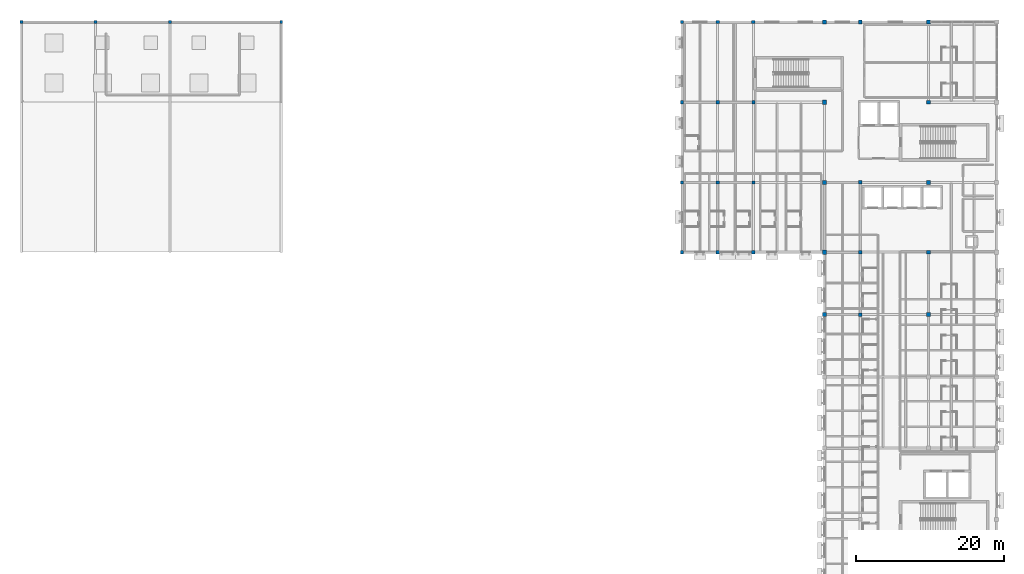
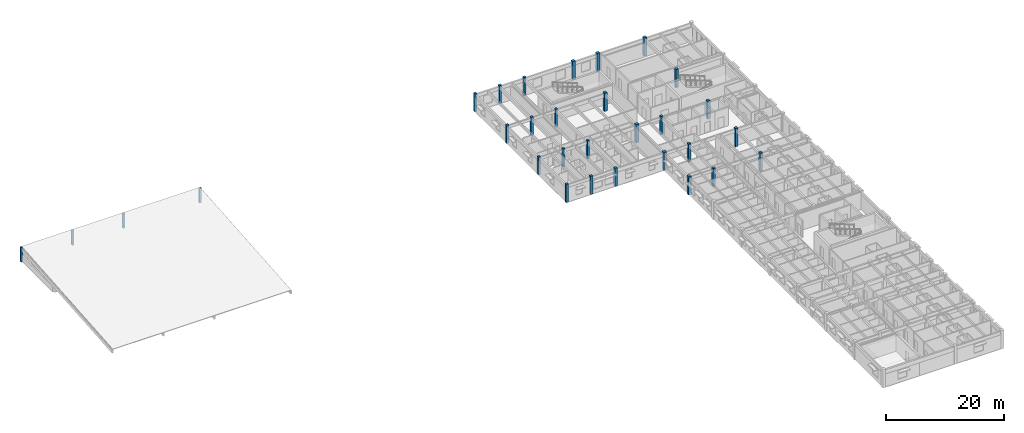
# One storey, part 2 of 31: 30 columns.
"""IFC4 building model written with IfcOpenShell, lengths in metres."""

from ifc_helpers import new_model, si_unit, direction, frame, origin, origin_2d, place, context, subcontext, project, spatial, rectangle, extrude, material, material_profile, profile_set, type_object, element, save


model = new_model("IFC4")

# Units and contexts
model_context = context("Model", 3, precision=1e-05, world=origin(), true_north=direction((0.0, 1.0)))
body_context = subcontext(model_context, "Body", "Model", "MODEL_VIEW")
ifc_project = project(units=[si_unit("LENGTHUNIT", "METRE"), si_unit("AREAUNIT", "SQUARE_METRE"), si_unit("VOLUMEUNIT", "CUBIC_METRE"), si_unit("PLANEANGLEUNIT", "RADIAN"), si_unit("MASSUNIT", "GRAM", prefix="KILO")], contexts=[model_context])

# Site, building, storey
site_placement = place(None, origin())
site = spatial("IfcSite", under=ifc_project, at=site_placement, CompositionType="ELEMENT")
building_placement = place(site_placement, origin())
building = spatial("IfcBuilding", under=site, at=building_placement, Name="Veldera Park Congress Hotel", CompositionType="ELEMENT")
storey_placement = place(building_placement, frame((0.0, 0.0, 20.0)))
storey = spatial("IfcBuildingStorey", under=building, at=storey_placement, Name="L04", CompositionType="ELEMENT", Elevation=20.0)

# Columns
ifc_material = material(Name="Glulam GL28h (NDS 24F-V4)", Category="wood")
ifc_material_profile_1 = material_profile(ifc_material, rectangle(XDim=0.389892578125, YDim=0.389892578125, at=origin_2d()), Name="GL28h 390x390")
ifc_profile_set_1 = profile_set([ifc_material_profile_1], Name="Glulam GL28h (NDS 24F-V4)")
column_type_1 = type_object("IfcColumnType", Name="COL-GL36E", PredefinedType="COLUMN", material=ifc_profile_set_1)
for number, where, z_axis, x_axis, name in (
    (1, (-47.39990234375, 58.0, 0.0), (0.0, 0.0, 1.0), (1.0, 0.0, 0.0), "L04 Column COL-GL36E (-47.4,58.0)"),
    (2, (-37.39990234375, 58.0, 0.0), (0.0, 0.0, 1.0), (1.0, 0.0, 0.0), "L04 Column COL-GL36E (-37.4,58.0)"),
    (3, (-27.39990234375, 58.0, 0.0), (0.0, 0.0, 1.0), (1.0, 0.0, 0.0), "L04 Column COL-GL36E (-27.4,58.0)"),
    (4, (-12.39990234375, 58.0, 0.0), (0.0, 0.0, 1.0), (1.0, 0.0, 0.0), "L04 Column COL-GL36E (-12.4,58.0)"),
):
    element("IfcColumn", number, at=place(storey_placement, frame(where, z_axis=z_axis, x_axis=x_axis)), inside=storey, type_object=column_type_1, Name=name, PredefinedType="COLUMN", context=body_context, shape_type="SweptSolid", body=[
        extrude(rectangle(XDim=0.389892578125, YDim=0.389892578125, at=origin_2d()), origin(), (0.0, 0.0, 1.0), 3.02001953125),
    ])
ifc_material_profile_2 = material_profile(ifc_material, rectangle(XDim=0.419921875, YDim=0.419921875, at=origin_2d()), Name="GL28h 420x420")
ifc_profile_set_2 = profile_set([ifc_material_profile_2], Name="Glulam GL28h (NDS 24F-V4)")
column_type_2 = type_object("IfcColumnType", Name="COL-GL42", PredefinedType="COLUMN", material=ifc_profile_set_2)
for number, where, z_axis, x_axis, name in (
    (5, (41.60009765625, 36.39990234375, 0.0), (0.0, 0.0, 1.0), (1.0, 0.0, 0.0), "L04 Column COL-GL42 (41.6,36.4)"),
    (6, (41.60009765625, 47.199951171875, 0.0), (0.0, 0.0, 1.0), (1.0, 0.0, 0.0), "L04 Column COL-GL42 (41.6,47.2)"),
    (7, (46.39990234375, 36.39990234375, 0.0), (0.0, 0.0, 1.0), (1.0, 0.0, 0.0), "L04 Column COL-GL42 (46.4,36.4)"),
    (8, (46.39990234375, 47.199951171875, 0.0), (0.0, 0.0, 1.0), (1.0, 0.0, 0.0), "L04 Column COL-GL42 (46.4,47.2)"),
    (9, (51.199951171875, 36.39990234375, 0.0), (0.0, 0.0, 1.0), (1.0, 0.0, 0.0), "L04 Column COL-GL42 (51.2,36.4)"),
    (10, (51.199951171875, 47.199951171875, 0.0), (0.0, 0.0, 1.0), (1.0, 0.0, 0.0), "L04 Column COL-GL42 (51.2,47.2)"),
):
    element("IfcColumn", number, at=place(storey_placement, frame(where, z_axis=z_axis, x_axis=x_axis)), inside=storey, type_object=column_type_2, Name=name, PredefinedType="COLUMN", context=body_context, shape_type="SweptSolid", body=[
        extrude(rectangle(XDim=0.419921875, YDim=0.419921875, at=origin_2d()), origin(), (0.0, 0.0, 1.0), 3.800048828125),
    ])
ifc_material_profile_3 = material_profile(ifc_material, rectangle(XDim=0.449951171875, YDim=0.449951171875, at=origin_2d()), Name="GL28h 450x450")
ifc_profile_set_3 = profile_set([ifc_material_profile_3], Name="Glulam GL28h (NDS 24F-V4)")
column_type_3 = type_object("IfcColumnType", Name="COL-GL42E", PredefinedType="COLUMN", material=ifc_profile_set_3)
for number, where, z_axis, x_axis, name in (
    (11, (41.60009765625, 27.0, 0.0), (0.0, 0.0, 1.0), (1.0, 0.0, 0.0), "L04 Column COL-GL42E (41.6,27.0)"),
    (12, (41.60009765625, 58.0, 0.0), (0.0, 0.0, 1.0), (1.0, 0.0, 0.0), "L04 Column COL-GL42E (41.6,58.0)"),
    (13, (46.39990234375, 27.0, 0.0), (0.0, 0.0, 1.0), (1.0, 0.0, 0.0), "L04 Column COL-GL42E (46.4,27.0)"),
    (14, (46.39990234375, 58.0, 0.0), (0.0, 0.0, 1.0), (1.0, 0.0, 0.0), "L04 Column COL-GL42E (46.4,58.0)"),
    (15, (51.199951171875, 27.0, 0.0), (0.0, 0.0, 1.0), (1.0, 0.0, 0.0), "L04 Column COL-GL42E (51.2,27.0)"),
    (16, (51.199951171875, 58.0, 0.0), (0.0, 0.0, 1.0), (1.0, 0.0, 0.0), "L04 Column COL-GL42E (51.2,58.0)"),
):
    element("IfcColumn", number, at=place(storey_placement, frame(where, z_axis=z_axis, x_axis=x_axis)), inside=storey, type_object=column_type_3, Name=name, PredefinedType="COLUMN", context=body_context, shape_type="SweptSolid", body=[
        extrude(rectangle(XDim=0.449951171875, YDim=0.449951171875, at=origin_2d()), origin(), (0.0, 0.0, 1.0), 3.800048828125),
    ])
ifc_material_profile_4 = material_profile(ifc_material, rectangle(XDim=0.47998046875, YDim=0.47998046875, at=origin_2d()), Name="GL28h 480x480")
ifc_profile_set_4 = profile_set([ifc_material_profile_4], Name="Glulam GL28h (NDS 24F-V4)")
column_type_4 = type_object("IfcColumnType", Name="COL-GL48", PredefinedType="COLUMN", material=ifc_profile_set_4)
for number, where, z_axis, x_axis, name in (
    (17, (65.60009765625, 18.60009765625, 0.0), (0.0, 0.0, 1.0), (1.0, 0.0, 0.0), "L04 Column COL-GL48 (65.6,18.6)"),
    (18, (65.60009765625, 27.0, 0.0), (0.0, 0.0, 1.0), (1.0, 0.0, 0.0), "L04 Column COL-GL48 (65.6,27.0)"),
    (19, (65.60009765625, 36.39990234375, 0.0), (0.0, 0.0, 1.0), (1.0, 0.0, 0.0), "L04 Column COL-GL48 (65.6,36.4)"),
):
    element("IfcColumn", number, at=place(storey_placement, frame(where, z_axis=z_axis, x_axis=x_axis)), inside=storey, type_object=column_type_4, Name=name, PredefinedType="COLUMN", context=body_context, shape_type="SweptSolid", body=[
        extrude(rectangle(XDim=0.47998046875, YDim=0.47998046875, at=origin_2d()), origin(), (0.0, 0.0, 1.0), 3.800048828125),
    ])
ifc_material_profile_5 = material_profile(ifc_material, rectangle(XDim=0.52001953125, YDim=0.52001953125, at=origin_2d()), Name="GL28h 520x520")
ifc_profile_set_5 = profile_set([ifc_material_profile_5], Name="Glulam GL28h (NDS 24F-V4)")
column_type_5 = type_object("IfcColumnType", Name="COL-GL48E", PredefinedType="COLUMN", material=ifc_profile_set_5)
column_placement = place(storey_placement, frame((65.60009765625, 58.0, 0.0), z_axis=(0.0, 0.0, 1.0), x_axis=(1.0, 0.0, 0.0)))
element("IfcColumn", 20, at=column_placement, inside=storey, type_object=column_type_5, Name="L04 Column COL-GL48E (65.6,58.0)", PredefinedType="COLUMN", context=body_context, shape_type="SweptSolid", body=[
    extrude(rectangle(XDim=0.52001953125, YDim=0.52001953125, at=origin_2d()), origin(), (0.0, 0.0, 1.0), 3.800048828125),
])
ifc_material_profile_6 = material_profile(ifc_material, rectangle(XDim=0.52001953125, YDim=0.52001953125, at=origin_2d()), Name="GL28h 520x520")
ifc_profile_set_6 = profile_set([ifc_material_profile_6], Name="Glulam GL28h (NDS 24F-V4)")
column_type_6 = type_object("IfcColumnType", Name="COL-GL52", PredefinedType="COLUMN", material=ifc_profile_set_6)
for number, where, z_axis, x_axis, name in (
    (21, (74.800048828125, 18.60009765625, 0.0), (0.0, 0.0, 1.0), (1.0, 0.0, 0.0), "L04 Column COL-GL52 (74.8,18.6)"),
    (22, (74.800048828125, 27.0, 0.0), (0.0, 0.0, 1.0), (1.0, 0.0, 0.0), "L04 Column COL-GL52 (74.8,27.0)"),
    (23, (74.800048828125, 36.39990234375, 0.0), (0.0, 0.0, 1.0), (1.0, 0.0, 0.0), "L04 Column COL-GL52 (74.8,36.4)"),
    (24, (74.800048828125, 47.199951171875, 0.0), (0.0, 0.0, 1.0), (1.0, 0.0, 0.0), "L04 Column COL-GL52 (74.8,47.2)"),
):
    element("IfcColumn", number, at=place(storey_placement, frame(where, z_axis=z_axis, x_axis=x_axis)), inside=storey, type_object=column_type_6, Name=name, PredefinedType="COLUMN", context=body_context, shape_type="SweptSolid", body=[
        extrude(rectangle(XDim=0.52001953125, YDim=0.52001953125, at=origin_2d()), origin(), (0.0, 0.0, 1.0), 3.800048828125),
    ])
ifc_material_profile_7 = material_profile(ifc_material, rectangle(XDim=0.56005859375, YDim=0.56005859375, at=origin_2d()), Name="GL28h 560x560")
ifc_profile_set_7 = profile_set([ifc_material_profile_7], Name="Glulam GL28h (NDS 24F-V4)")
column_type_7 = type_object("IfcColumnType", Name="COL-GL52E", PredefinedType="COLUMN", material=ifc_profile_set_7)
for number, where, z_axis, x_axis, name in (
    (25, (60.800048828125, 18.60009765625, 0.0), (0.0, 0.0, 1.0), (1.0, 0.0, 0.0), "L04 Column COL-GL52E (60.8,18.6)"),
    (26, (60.800048828125, 27.0, 0.0), (0.0, 0.0, 1.0), (1.0, 0.0, 0.0), "L04 Column COL-GL52E (60.8,27.0)"),
    (27, (60.800048828125, 36.39990234375, 0.0), (0.0, 0.0, 1.0), (1.0, 0.0, 0.0), "L04 Column COL-GL52E (60.8,36.4)"),
    (28, (60.800048828125, 47.199951171875, 0.0), (0.0, 0.0, 1.0), (1.0, 0.0, 0.0), "L04 Column COL-GL52E (60.8,47.2)"),
    (29, (60.800048828125, 58.0, 0.0), (0.0, 0.0, 1.0), (1.0, 0.0, 0.0), "L04 Column COL-GL52E (60.8,58.0)"),
    (30, (74.800048828125, 58.0, 0.0), (0.0, 0.0, 1.0), (1.0, 0.0, 0.0), "L04 Column COL-GL52E (74.8,58.0)"),
):
    element("IfcColumn", number, at=place(storey_placement, frame(where, z_axis=z_axis, x_axis=x_axis)), inside=storey, type_object=column_type_7, Name=name, PredefinedType="COLUMN", context=body_context, shape_type="SweptSolid", body=[
        extrude(rectangle(XDim=0.56005859375, YDim=0.56005859375, at=origin_2d()), origin(), (0.0, 0.0, 1.0), 3.800048828125),
    ])

save(model, "model.ifc")
